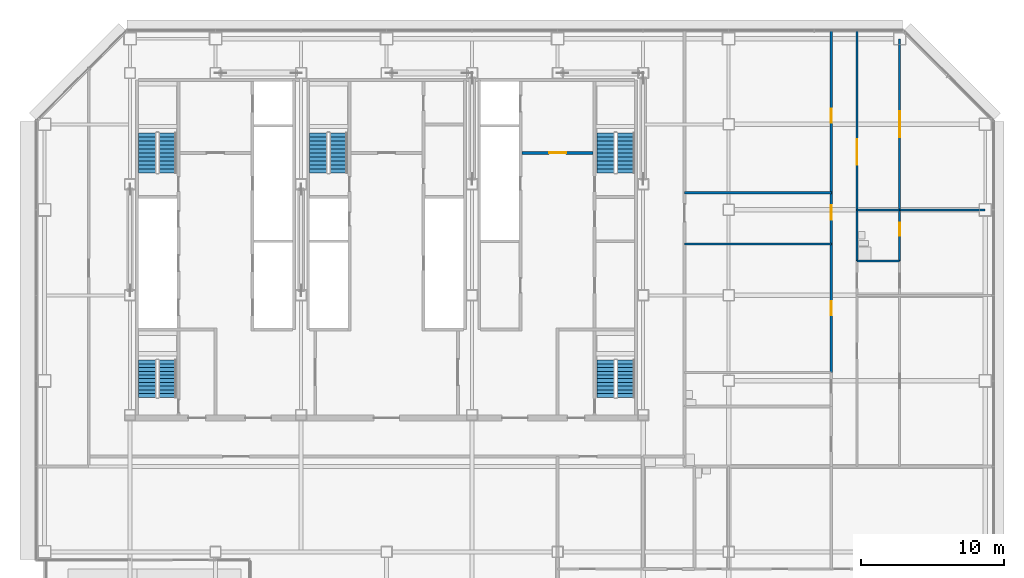
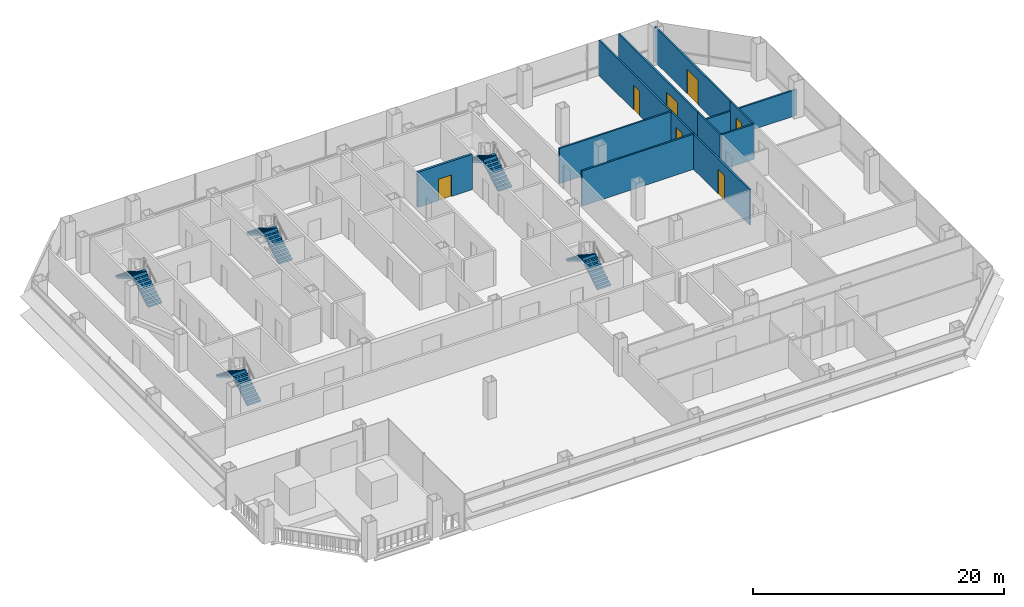
# One storey, part 23 of 28: 11 walls, 10 stair flights, 7 doors, 7 openings, 5 elements without a shape of their own.
"""IFC4 building model written with IfcOpenShell, lengths in metres."""

from ifc_helpers import new_model, si_unit, direction, frame, frame_2d, origin, place, context, subcontext, project, spatial, polyline, rectangle, outline, extrude, material, layer, layer_set, type_object, element, fill, aggregate, save


model = new_model("IFC4")

# Units and contexts
model_context = context("Model", 3, precision=1e-05, world=origin(), true_north=direction((0.0, 1.0)))
body_context = subcontext(model_context, "Body", "Model", "MODEL_VIEW")
ifc_project = project(units=[si_unit("LENGTHUNIT", "METRE"), si_unit("AREAUNIT", "SQUARE_METRE"), si_unit("VOLUMEUNIT", "CUBIC_METRE"), si_unit("PLANEANGLEUNIT", "RADIAN"), si_unit("MASSUNIT", "GRAM", prefix="KILO")], contexts=[model_context])

# Site, building, storey
site_placement = place(None, origin())
site = spatial("IfcSite", under=ifc_project, at=site_placement, CompositionType="ELEMENT")
building_placement = place(site_placement, origin())
building = spatial("IfcBuilding", under=site, at=building_placement, Name="Sorahane Residences", CompositionType="ELEMENT")
storey_placement = place(building_placement, frame((0.0, 0.0, 60.60009765625)))
storey = spatial("IfcBuildingStorey", under=building, at=storey_placement, Name="L11", CompositionType="ELEMENT", Elevation=60.60009765625)

# Wall, opening, door
ifc_material_1 = material(Name="Concrete C30", Category="concrete")
ifc_layer_1 = layer(ifc_material_1, 0.199951171875)
ifc_layer_set_1 = layer_set([ifc_layer_1], Name="Front room wall 200 EI 120")
wall_type_1 = type_object("IfcWallType", Name="Front room wall 200 EI 120", PredefinedType="PARTITIONING", material=ifc_layer_set_1)
wall_1_placement = place(storey_placement, frame((33.5, 40.0, 0.0), z_axis=(0.0, 0.0, 1.0), x_axis=(1.0, 0.0, 0.0)))
wall_1 = element("IfcWall", 1, at=wall_1_placement, inside=storey, type_object=wall_type_1, Name="L11 front room wall", PredefinedType="PARTITIONING", context=body_context, shape_type="SweptSolid", body=[
    extrude(rectangle(XDim=5.0, YDim=0.199951171875, at=frame_2d((2.5, 0.0))), origin(), (0.0, 0.0, 1.0), 3.419921875),
])
opening_1_placement = place(wall_1_placement, frame((1.89990234375, 0.0, 0.0)))
opening_1 = element("IfcOpeningElement", 2, at=opening_1_placement, cuts=wall_1, Name="Opening L11-C10", PredefinedType="OPENING", context=body_context, shape_type="SweptSolid", body=[
    extrude(rectangle(XDim=1.199951171875, YDim=2.10009765625, at=frame_2d((0.60009765625, 1.050048828125))), frame((0.0, 0.10986328125, 0.0), z_axis=(0.0, -1.0, 0.0), x_axis=(1.0, 0.0, 0.0)), (0.0, 0.0, 1.0), 0.219970703125),
])
ifc_material_2 = material(Name="Steel", Category="steel")
door_type_1 = type_object("IfcDoorType", Name="Front room door 1200x2100 FD120", OperationType="NOTDEFINED", PredefinedType="DOOR", material=ifc_material_2)
door_1_placement = place(opening_1_placement, frame((1.199951171875, 0.0, 0.0), z_axis=(0.0, 0.0, 1.0), x_axis=(-1.0, 0.0, 0.0)))
door_1 = element("IfcDoor", 3, at=door_1_placement, inside=storey, type_object=door_type_1, Name="Front room door Firefighting lobby FF2 front room L11", OperationType="DOUBLE_DOOR_SINGLE_SWING", OverallHeight=2.10009765625, OverallWidth=1.199951171875, PredefinedType="DOOR", context=body_context, shape_type="SweptSolid", body=[
    extrude(rectangle(XDim=1.199951171875, YDim=2.10009765625, at=frame_2d((0.60009765625, 1.050048828125))), frame((0.0, 0.02490234375, 0.0), z_axis=(0.0, -1.0, 0.0), x_axis=(1.0, 0.0, 0.0)), (0.0, 0.0, 1.0), 0.050048828125),
])
fill(opening_1, door_1)

# Wall, openings, doors
ifc_material_3 = material(Name="Gypsum board partition on steel studs", Category="steel")
ifc_layer_2 = layer(ifc_material_3, 0.14990234375)
ifc_layer_set_2 = layer_set([ifc_layer_2], Name="Partition 150 EI 90")
wall_type_2 = type_object("IfcWallType", Name="Partition 150 EI 90", PredefinedType="PARTITIONING", material=ifc_layer_set_2)
wall_2_placement = place(storey_placement, frame((55.199951171875, 24.60009765625, 0.0), z_axis=(0.0, 0.0, 1.0), x_axis=(0.0, 1.0, 0.0)))
wall_2 = element("IfcWall", 4, at=wall_2_placement, inside=storey, type_object=wall_type_2, Name="L11 partition", PredefinedType="PARTITIONING", context=body_context, shape_type="SweptSolid", body=[
    extrude(rectangle(XDim=24.0, YDim=0.14990234375, at=frame_2d((12.0, 0.0))), origin(), (0.0, 0.0, 1.0), 3.419921875),
])
opening_2_placement = place(wall_2_placement, frame((10.719970703125, 0.0, 0.0)))
opening_2 = element("IfcOpeningElement", 5, at=opening_2_placement, cuts=wall_2, Name="Opening L11-13", PredefinedType="OPENING", context=body_context, shape_type="SweptSolid", body=[
    extrude(rectangle(XDim=1.0, YDim=2.39990234375, at=frame_2d((0.5, 1.199951171875))), frame((0.0, 0.0849609375, 0.0), z_axis=(0.0, -1.0, 0.0), x_axis=(1.0, 0.0, 0.0)), (0.0, 0.0, 1.0), 0.169921875),
])
opening_3_placement = place(wall_2_placement, frame((4.0, 0.0, 0.0)))
opening_3 = element("IfcOpeningElement", 6, at=opening_3_placement, cuts=wall_2, Name="Opening L11-16", PredefinedType="OPENING", context=body_context, shape_type="SweptSolid", body=[
    extrude(rectangle(XDim=1.0, YDim=2.39990234375, at=frame_2d((0.5, 1.199951171875))), frame((0.0, 0.0849609375, 0.0), z_axis=(0.0, -1.0, 0.0), x_axis=(1.0, 0.0, 0.0)), (0.0, 0.0, 1.0), 0.169921875),
])
opening_4_placement = place(wall_2_placement, frame((17.5, 0.0, 0.0)))
opening_4 = element("IfcOpeningElement", 7, at=opening_4_placement, cuts=wall_2, Name="Opening L11-17", PredefinedType="OPENING", context=body_context, shape_type="SweptSolid", body=[
    extrude(rectangle(XDim=1.0, YDim=2.39990234375, at=frame_2d((0.5, 1.199951171875))), frame((0.0, 0.0849609375, 0.0), z_axis=(0.0, -1.0, 0.0), x_axis=(1.0, 0.0, 0.0)), (0.0, 0.0, 1.0), 0.169921875),
])
ifc_material_4 = material(Name="Timber veneered fire door", Category="wood")
door_type_2 = type_object("IfcDoorType", Name="Room door 1000x2400 FD30", OperationType="NOTDEFINED", PredefinedType="DOOR", material=ifc_material_4)
door_2_placement = place(opening_2_placement, frame((1.0, 0.0, 0.0), z_axis=(0.0, 0.0, 1.0), x_axis=(-1.0, 0.0, 0.0)))
door_2 = element("IfcDoor", 8, at=door_2_placement, inside=storey, type_object=door_type_2, Name="Room door L11-13", OperationType="SINGLE_SWING_RIGHT", OverallHeight=2.39990234375, OverallWidth=1.0, PredefinedType="DOOR", context=body_context, shape_type="SweptSolid", body=[
    extrude(rectangle(XDim=1.0, YDim=2.39990234375, at=frame_2d((0.5, 1.199951171875))), frame((0.0, 0.02490234375, 0.0), z_axis=(0.0, -1.0, 0.0), x_axis=(1.0, 0.0, 0.0)), (0.0, 0.0, 1.0), 0.050048828125),
])
fill(opening_2, door_2)
door_3_placement = place(opening_3_placement, origin())
door_3 = element("IfcDoor", 9, at=door_3_placement, inside=storey, type_object=door_type_2, Name="Room door L11-16", OperationType="SINGLE_SWING_RIGHT", OverallHeight=2.39990234375, OverallWidth=1.0, PredefinedType="DOOR", context=body_context, shape_type="SweptSolid", body=[
    extrude(rectangle(XDim=1.0, YDim=2.39990234375, at=frame_2d((0.5, 1.199951171875))), frame((0.0, 0.02490234375, 0.0), z_axis=(0.0, -1.0, 0.0), x_axis=(1.0, 0.0, 0.0)), (0.0, 0.0, 1.0), 0.050048828125),
])
fill(opening_3, door_3)
door_4_placement = place(opening_4_placement, origin())
door_4 = element("IfcDoor", 10, at=door_4_placement, inside=storey, type_object=door_type_2, Name="Room door L11-17", OperationType="SINGLE_SWING_LEFT", OverallHeight=2.39990234375, OverallWidth=1.0, PredefinedType="DOOR", context=body_context, shape_type="SweptSolid", body=[
    extrude(rectangle(XDim=1.0, YDim=2.39990234375, at=frame_2d((0.5, 1.199951171875))), frame((0.0, 0.02490234375, 0.0), z_axis=(0.0, -1.0, 0.0), x_axis=(1.0, 0.0, 0.0)), (0.0, 0.0, 1.0), 0.050048828125),
])
fill(opening_4, door_4)

# Wall, opening, door
wall_3_placement = place(storey_placement, frame((57.0, 36.0, 0.0), z_axis=(0.0, 0.0, 1.0), x_axis=(0.0, 1.0, 0.0)))
wall_3 = element("IfcWall", 11, at=wall_3_placement, inside=storey, type_object=wall_type_2, Name="L11 partition", PredefinedType="PARTITIONING", context=body_context, shape_type="SweptSolid", body=[
    extrude(rectangle(XDim=12.60009765625, YDim=0.14990234375, at=frame_2d((6.300048828125, 0.0))), origin(), (0.0, 0.0, 1.0), 3.419921875),
])
opening_5_placement = place(wall_3_placement, frame((3.159912109375, 0.0, 0.0)))
opening_5 = element("IfcOpeningElement", 12, at=opening_5_placement, cuts=wall_3, Name="Opening L11-20", PredefinedType="OPENING", context=body_context, shape_type="SweptSolid", body=[
    extrude(rectangle(XDim=1.800048828125, YDim=2.39990234375, at=frame_2d((0.89990234375, 1.199951171875))), frame((0.0, 0.0849609375, 0.0), z_axis=(0.0, -1.0, 0.0), x_axis=(1.0, 0.0, 0.0)), (0.0, 0.0, 1.0), 0.169921875),
])
ifc_material_5 = material(Name="Timber veneered fire door", Category="wood")
door_type_3 = type_object("IfcDoorType", Name="Double door 1800x2400 FD30", OperationType="NOTDEFINED", PredefinedType="DOOR", material=ifc_material_5)
door_5_placement = place(opening_5_placement, frame((1.800048828125, 0.0, 0.0), z_axis=(0.0, 0.0, 1.0), x_axis=(-1.0, 0.0, 0.0)))
door_5 = element("IfcDoor", 13, at=door_5_placement, inside=storey, type_object=door_type_3, Name="Double door L11-20", OperationType="SINGLE_SWING_RIGHT", OverallHeight=2.39990234375, OverallWidth=1.800048828125, PredefinedType="DOOR", context=body_context, shape_type="SweptSolid", body=[
    extrude(rectangle(XDim=1.800048828125, YDim=2.39990234375, at=frame_2d((0.89990234375, 1.199951171875))), frame((0.0, 0.02490234375, 0.0), z_axis=(0.0, -1.0, 0.0), x_axis=(1.0, 0.0, 0.0)), (0.0, 0.0, 1.0), 0.050048828125),
])
fill(opening_5, door_5)

wall_4_placement = place(storey_placement, frame((60.0, 36.0, 0.0), z_axis=(0.0, 0.0, 1.0), x_axis=(0.0, 1.0, 0.0)))
wall_4 = element("IfcWall", 14, at=wall_4_placement, inside=storey, type_object=wall_type_2, Name="L11 partition", PredefinedType="PARTITIONING", context=body_context, shape_type="SweptSolid", body=[
    extrude(rectangle(XDim=12.0, YDim=0.14990234375, at=frame_2d((6.0, 0.0))), origin(), (0.0, 0.0, 1.0), 3.419921875),
])
opening_6_placement = place(wall_4_placement, frame((5.10009765625, 0.0, 0.0)))
opening_6 = element("IfcOpeningElement", 15, at=opening_6_placement, cuts=wall_4, Name="Opening L11-24", PredefinedType="OPENING", context=body_context, shape_type="SweptSolid", body=[
    extrude(rectangle(XDim=1.800048828125, YDim=2.39990234375, at=frame_2d((0.89990234375, 1.199951171875))), frame((0.0, 0.0849609375, 0.0), z_axis=(0.0, -1.0, 0.0), x_axis=(1.0, 0.0, 0.0)), (0.0, 0.0, 1.0), 0.169921875),
])
door_6_placement = place(opening_6_placement, frame((1.800048828125, 0.0, 0.0), z_axis=(0.0, 0.0, 1.0), x_axis=(-1.0, 0.0, 0.0)))
door_6 = element("IfcDoor", 16, at=door_6_placement, inside=storey, type_object=door_type_3, Name="Double door L11-24", OperationType="SINGLE_SWING_RIGHT", OverallHeight=2.39990234375, OverallWidth=1.800048828125, PredefinedType="DOOR", context=body_context, shape_type="SweptSolid", body=[
    extrude(rectangle(XDim=1.800048828125, YDim=2.39990234375, at=frame_2d((0.89990234375, 1.199951171875))), frame((0.0, 0.02490234375, 0.0), z_axis=(0.0, -1.0, 0.0), x_axis=(1.0, 0.0, 0.0)), (0.0, 0.0, 1.0), 0.050048828125),
])
fill(opening_6, door_6)

# Walls
wall_5_placement = place(storey_placement, frame((44.89990234375, 33.60009765625, 0.0), z_axis=(0.0, 0.0, 1.0), x_axis=(1.0, 0.0, 0.0)))
element("IfcWall", 17, at=wall_5_placement, inside=storey, type_object=wall_type_2, Name="L11 partition", PredefinedType="PARTITIONING", context=body_context, shape_type="SweptSolid", body=[
    extrude(rectangle(XDim=10.300048828125, YDim=0.14990234375, at=frame_2d((5.14990234375, 0.0))), origin(), (0.0, 0.0, 1.0), 3.419921875),
])
wall_6_placement = place(storey_placement, frame((60.0, 36.0, 0.0), z_axis=(0.0, 0.0, 1.0), x_axis=(1.0, 0.0, 0.0)))
element("IfcWall", 18, at=wall_6_placement, inside=storey, type_object=wall_type_2, Name="L11 partition", PredefinedType="PARTITIONING", context=body_context, shape_type="SweptSolid", body=[
    extrude(rectangle(XDim=6.0, YDim=0.14990234375, at=frame_2d((3.0, 0.0))), origin(), (0.0, 0.0, 1.0), 2.52001953125),
])
wall_7_placement = place(storey_placement, frame((44.89990234375, 37.199951171875, 0.0), z_axis=(0.0, 0.0, 1.0), x_axis=(1.0, 0.0, 0.0)))
element("IfcWall", 19, at=wall_7_placement, inside=storey, type_object=wall_type_2, Name="L11 partition", PredefinedType="PARTITIONING", context=body_context, shape_type="SweptSolid", body=[
    extrude(rectangle(XDim=10.300048828125, YDim=0.14990234375, at=frame_2d((5.14990234375, 0.0))), origin(), (0.0, 0.0, 1.0), 3.419921875),
])
ifc_material_6 = material(Name="Gypsum board partition on steel studs", Category="steel")
ifc_layer_3 = layer(ifc_material_6, 0.14990234375)
ifc_layer_set_3 = layer_set([ifc_layer_3], Name="Wet wall 150 EI 90")
wall_type_3 = type_object("IfcWallType", Name="Wet wall 150 EI 90", PredefinedType="PARTITIONING", material=ifc_layer_set_3)
wall_8_placement = place(storey_placement, frame((57.0, 32.39990234375, 0.0), z_axis=(0.0, 0.0, 1.0), x_axis=(0.0, 1.0, 0.0)))
element("IfcWall", 20, at=wall_8_placement, inside=storey, type_object=wall_type_3, Name="L11 wet wall", PredefinedType="PARTITIONING", context=body_context, shape_type="SweptSolid", body=[
    extrude(rectangle(XDim=3.60009765625, YDim=0.14990234375, at=frame_2d((1.800048828125, 0.0))), origin(), (0.0, 0.0, 1.0), 3.419921875),
])

# Wall, opening, door
wall_9_placement = place(storey_placement, frame((60.0, 32.39990234375, 0.0), z_axis=(0.0, 0.0, 1.0), x_axis=(0.0, 1.0, 0.0)))
wall_9 = element("IfcWall", 21, at=wall_9_placement, inside=storey, type_object=wall_type_3, Name="L11 wet wall", PredefinedType="PARTITIONING", context=body_context, shape_type="SweptSolid", body=[
    extrude(rectangle(XDim=3.60009765625, YDim=0.14990234375, at=frame_2d((1.800048828125, 0.0))), origin(), (0.0, 0.0, 1.0), 3.419921875),
])
opening_7_placement = place(wall_9_placement, frame((1.7900390625, 0.0, 0.0)))
opening_7 = element("IfcOpeningElement", 22, at=opening_7_placement, cuts=wall_9, Name="Opening L11-23", PredefinedType="OPENING", context=body_context, shape_type="SweptSolid", body=[
    extrude(rectangle(XDim=0.89990234375, YDim=2.39990234375, at=frame_2d((0.449951171875, 1.199951171875))), frame((0.0, 0.0849609375, 0.0), z_axis=(0.0, -1.0, 0.0), x_axis=(1.0, 0.0, 0.0)), (0.0, 0.0, 1.0), 0.169921875),
])
ifc_material_7 = material(Name="Timber veneered fire door", Category="wood")
door_type_4 = type_object("IfcDoorType", Name="Bathroom door 900x2400 FD30", OperationType="NOTDEFINED", PredefinedType="DOOR", material=ifc_material_7)
door_7_placement = place(opening_7_placement, frame((0.89990234375, 0.0, 0.0), z_axis=(0.0, 0.0, 1.0), x_axis=(-1.0, 0.0, 0.0)))
door_7 = element("IfcDoor", 23, at=door_7_placement, inside=storey, type_object=door_type_4, Name="Bathroom door L11-23", OperationType="SINGLE_SWING_LEFT", OverallHeight=2.39990234375, OverallWidth=0.89990234375, PredefinedType="DOOR", context=body_context, shape_type="SweptSolid", body=[
    extrude(rectangle(XDim=0.89990234375, YDim=2.39990234375, at=frame_2d((0.449951171875, 1.199951171875))), frame((0.0, 0.02490234375, 0.0), z_axis=(0.0, -1.0, 0.0), x_axis=(1.0, 0.0, 0.0)), (0.0, 0.0, 1.0), 0.050048828125),
])
fill(opening_7, door_7)

# Walls
wall_10_placement = place(storey_placement, frame((57.0, 32.39990234375, 0.0), z_axis=(0.0, 0.0, 1.0), x_axis=(1.0, 0.0, 0.0)))
element("IfcWall", 24, at=wall_10_placement, inside=storey, type_object=wall_type_3, Name="L11 wet wall", PredefinedType="PARTITIONING", context=body_context, shape_type="SweptSolid", body=[
    extrude(rectangle(XDim=3.0, YDim=0.14990234375, at=frame_2d((1.5, 0.0))), origin(), (0.0, 0.0, 1.0), 3.419921875),
])
wall_11_placement = place(storey_placement, frame((57.0, 36.0, 0.0), z_axis=(0.0, 0.0, 1.0), x_axis=(1.0, 0.0, 0.0)))
element("IfcWall", 25, at=wall_11_placement, inside=storey, type_object=wall_type_3, Name="L11 wet wall", PredefinedType="PARTITIONING", context=body_context, shape_type="SweptSolid", body=[
    extrude(rectangle(XDim=3.0, YDim=0.14990234375, at=frame_2d((1.5, 0.0))), origin(), (0.0, 0.0, 1.0), 2.52001953125),
])

# Stair, stair flights
ifc_material_8 = material(Name="Concrete C40", Category="concrete")
stair_type = type_object("IfcStairType", Name="Dog-leg stair 1250 Concrete C40", PredefinedType="HALF_TURN_STAIR", material=ifc_material_8)
stair_1_placement = place(storey_placement, origin())
stair_1 = element("IfcStair", 26, at=stair_1_placement, inside=storey, type_object=stair_type, Name="L11 Stair S1", PredefinedType="HALF_TURN_STAIR")
ifc_material_9 = material(Name="Concrete C40", Category="concrete")
stair_flight_type = type_object("IfcStairFlightType", Name="Stair flight 1250 Concrete C40", PredefinedType="STRAIGHT", material=ifc_material_9)
stair_flight_1_placement = place(storey_placement, frame((8.625, 38.60009765625, 0.0), z_axis=(0.0, 0.0, 1.0), x_axis=(0.0, 1.0, 0.0)))
stair_flight_1 = element("IfcStairFlight", 27, at=stair_flight_1_placement, type_object=stair_flight_type, Name="S1 flight 1", NumberOfRisers=11, NumberOfTreads=10, PredefinedType="STRAIGHT", RiserHeight=0.163636364, TreadLength=0.28, context=body_context, shape_type="SweptSolid", body=[
    extrude(outline(polyline([(-0.00146484375, 0.0), (-0.00146484375, 0.16357421875), (0.0, 0.16357421875), (0.280029296875, 0.16357421875), (0.280029296875, 0.327392578125), (0.56005859375, 0.327392578125), (0.56005859375, 0.490966796875), (0.840087890625, 0.490966796875), (0.840087890625, 0.654541015625), (1.1201171875, 0.654541015625), (1.1201171875, 0.818115234375), (1.39990234375, 0.818115234375), (1.39990234375, 0.98193359375), (1.679931640625, 0.98193359375), (1.679931640625, 1.1455078125), (1.9599609375, 1.1455078125), (1.9599609375, 1.30908203125), (2.239990234375, 1.30908203125), (2.239990234375, 1.47265625), (2.52001953125, 1.47265625), (2.52001953125, 1.636474609375), (2.800048828125, 1.636474609375), (2.800048828125, 1.800048828125), (2.800048828125, 1.462646484375), (2.59130859375, 1.3408203125), (2.3828125, 1.218994140625), (2.17431640625, 1.09716796875), (1.965576171875, 0.97509765625), (1.757080078125, 0.853271484375), (1.548583984375, 0.7314453125), (1.340087890625, 0.609375), (1.13134765625, 0.487548828125), (0.9228515625, 0.36572265625), (0.71435546875, 0.243896484375), (0.505615234375, 0.121826171875), (0.297119140625, 0.0), (-0.00146484375, 0.0)])), frame((0.0, 0.625, 0.0), z_axis=(0.0, -1.0, 0.0), x_axis=(1.0, 0.0, 0.0)), (0.0, 0.0, 1.0), 1.25),
])
stair_flight_2_placement = place(storey_placement, frame((7.22509765625, 41.39990234375, 1.7998046875), z_axis=(0.0, 0.0, 1.0), x_axis=(0.0, -1.0, 0.0)))
stair_flight_2 = element("IfcStairFlight", 28, at=stair_flight_2_placement, type_object=stair_flight_type, Name="S1 flight 2", NumberOfRisers=11, NumberOfTreads=10, PredefinedType="STRAIGHT", RiserHeight=0.163636364, TreadLength=0.28, context=body_context, shape_type="SweptSolid", body=[
    extrude(outline(polyline([(0.0, 0.0), (0.0, 0.16357421875), (0.280029296875, 0.16357421875), (0.280029296875, 0.327392578125), (0.56005859375, 0.327392578125), (0.56005859375, 0.490966796875), (0.840087890625, 0.490966796875), (0.840087890625, 0.654541015625), (1.1201171875, 0.654541015625), (1.1201171875, 0.818115234375), (1.39990234375, 0.818115234375), (1.39990234375, 0.98193359375), (1.679931640625, 0.98193359375), (1.679931640625, 1.1455078125), (1.9599609375, 1.1455078125), (1.9599609375, 1.30908203125), (2.239990234375, 1.30908203125), (2.239990234375, 1.47265625), (2.52001953125, 1.47265625), (2.52001953125, 1.636474609375), (2.800048828125, 1.636474609375), (2.800048828125, 1.800048828125), (2.801513671875, 1.800048828125), (2.801513671875, 1.462646484375), (2.5927734375, 1.3408203125), (2.384033203125, 1.218994140625), (2.17529296875, 1.09716796875), (1.966796875, 0.97509765625), (1.758056640625, 0.853271484375), (1.54931640625, 0.7314453125), (1.340576171875, 0.609375), (1.1318359375, 0.487548828125), (0.923095703125, 0.36572265625), (0.714599609375, 0.243896484375), (0.505859375, 0.121826171875), (0.297119140625, 0.0), (0.0, 0.0)])), frame((0.0, 0.625, 0.0), z_axis=(0.0, -1.0, 0.0), x_axis=(1.0, 0.0, 0.0)), (0.0, 0.0, 1.0), 1.25),
])
aggregate(stair_1, [stair_flight_1, stair_flight_2])

stair_2_placement = place(storey_placement, origin())
stair_2 = element("IfcStair", 29, at=stair_2_placement, inside=storey, type_object=stair_type, Name="L11 Stair S2", PredefinedType="HALF_TURN_STAIR")
stair_flight_3_placement = place(storey_placement, frame((40.77490234375, 38.60009765625, 0.0), z_axis=(0.0, 0.0, 1.0), x_axis=(0.0, 1.0, 0.0)))
stair_flight_3 = element("IfcStairFlight", 30, at=stair_flight_3_placement, type_object=stair_flight_type, Name="S2 flight 1", NumberOfRisers=11, NumberOfTreads=10, PredefinedType="STRAIGHT", RiserHeight=0.163636364, TreadLength=0.28, context=body_context, shape_type="SweptSolid", body=[
    extrude(outline(polyline([(-0.00146484375, 0.0), (-0.00146484375, 0.16357421875), (0.0, 0.16357421875), (0.280029296875, 0.16357421875), (0.280029296875, 0.327392578125), (0.56005859375, 0.327392578125), (0.56005859375, 0.490966796875), (0.840087890625, 0.490966796875), (0.840087890625, 0.654541015625), (1.1201171875, 0.654541015625), (1.1201171875, 0.818115234375), (1.39990234375, 0.818115234375), (1.39990234375, 0.98193359375), (1.679931640625, 0.98193359375), (1.679931640625, 1.1455078125), (1.9599609375, 1.1455078125), (1.9599609375, 1.30908203125), (2.239990234375, 1.30908203125), (2.239990234375, 1.47265625), (2.52001953125, 1.47265625), (2.52001953125, 1.636474609375), (2.800048828125, 1.636474609375), (2.800048828125, 1.800048828125), (2.800048828125, 1.462646484375), (2.59130859375, 1.3408203125), (2.3828125, 1.218994140625), (2.17431640625, 1.09716796875), (1.965576171875, 0.97509765625), (1.757080078125, 0.853271484375), (1.548583984375, 0.7314453125), (1.340087890625, 0.609375), (1.13134765625, 0.487548828125), (0.9228515625, 0.36572265625), (0.71435546875, 0.243896484375), (0.505615234375, 0.121826171875), (0.297119140625, 0.0), (-0.00146484375, 0.0)])), frame((0.0, 0.625, 0.0), z_axis=(0.0, -1.0, 0.0), x_axis=(1.0, 0.0, 0.0)), (0.0, 0.0, 1.0), 1.25),
])
stair_flight_4_placement = place(storey_placement, frame((39.375, 41.39990234375, 1.7998046875), z_axis=(0.0, 0.0, 1.0), x_axis=(0.0, -1.0, 0.0)))
stair_flight_4 = element("IfcStairFlight", 31, at=stair_flight_4_placement, type_object=stair_flight_type, Name="S2 flight 2", NumberOfRisers=11, NumberOfTreads=10, PredefinedType="STRAIGHT", RiserHeight=0.163636364, TreadLength=0.28, context=body_context, shape_type="SweptSolid", body=[
    extrude(outline(polyline([(0.0, 0.0), (0.0, 0.16357421875), (0.280029296875, 0.16357421875), (0.280029296875, 0.327392578125), (0.56005859375, 0.327392578125), (0.56005859375, 0.490966796875), (0.840087890625, 0.490966796875), (0.840087890625, 0.654541015625), (1.1201171875, 0.654541015625), (1.1201171875, 0.818115234375), (1.39990234375, 0.818115234375), (1.39990234375, 0.98193359375), (1.679931640625, 0.98193359375), (1.679931640625, 1.1455078125), (1.9599609375, 1.1455078125), (1.9599609375, 1.30908203125), (2.239990234375, 1.30908203125), (2.239990234375, 1.47265625), (2.52001953125, 1.47265625), (2.52001953125, 1.636474609375), (2.800048828125, 1.636474609375), (2.800048828125, 1.800048828125), (2.801513671875, 1.800048828125), (2.801513671875, 1.462646484375), (2.5927734375, 1.3408203125), (2.384033203125, 1.218994140625), (2.17529296875, 1.09716796875), (1.966796875, 0.97509765625), (1.758056640625, 0.853271484375), (1.54931640625, 0.7314453125), (1.340576171875, 0.609375), (1.1318359375, 0.487548828125), (0.923095703125, 0.36572265625), (0.714599609375, 0.243896484375), (0.505859375, 0.121826171875), (0.297119140625, 0.0), (0.0, 0.0)])), frame((0.0, 0.625, 0.0), z_axis=(0.0, -1.0, 0.0), x_axis=(1.0, 0.0, 0.0)), (0.0, 0.0, 1.0), 1.25),
])
aggregate(stair_2, [stair_flight_3, stair_flight_4])

stair_3_placement = place(storey_placement, origin())
stair_3 = element("IfcStair", 32, at=stair_3_placement, inside=storey, type_object=stair_type, Name="L11 Stair S3", PredefinedType="HALF_TURN_STAIR")
stair_flight_5_placement = place(storey_placement, frame((20.625, 38.60009765625, 0.0), z_axis=(0.0, 0.0, 1.0), x_axis=(0.0, 1.0, 0.0)))
stair_flight_5 = element("IfcStairFlight", 33, at=stair_flight_5_placement, type_object=stair_flight_type, Name="S3 flight 1", NumberOfRisers=11, NumberOfTreads=10, PredefinedType="STRAIGHT", RiserHeight=0.163636364, TreadLength=0.28, context=body_context, shape_type="SweptSolid", body=[
    extrude(outline(polyline([(-0.00146484375, 0.0), (-0.00146484375, 0.16357421875), (0.0, 0.16357421875), (0.280029296875, 0.16357421875), (0.280029296875, 0.327392578125), (0.56005859375, 0.327392578125), (0.56005859375, 0.490966796875), (0.840087890625, 0.490966796875), (0.840087890625, 0.654541015625), (1.1201171875, 0.654541015625), (1.1201171875, 0.818115234375), (1.39990234375, 0.818115234375), (1.39990234375, 0.98193359375), (1.679931640625, 0.98193359375), (1.679931640625, 1.1455078125), (1.9599609375, 1.1455078125), (1.9599609375, 1.30908203125), (2.239990234375, 1.30908203125), (2.239990234375, 1.47265625), (2.52001953125, 1.47265625), (2.52001953125, 1.636474609375), (2.800048828125, 1.636474609375), (2.800048828125, 1.800048828125), (2.800048828125, 1.462646484375), (2.59130859375, 1.3408203125), (2.3828125, 1.218994140625), (2.17431640625, 1.09716796875), (1.965576171875, 0.97509765625), (1.757080078125, 0.853271484375), (1.548583984375, 0.7314453125), (1.340087890625, 0.609375), (1.13134765625, 0.487548828125), (0.9228515625, 0.36572265625), (0.71435546875, 0.243896484375), (0.505615234375, 0.121826171875), (0.297119140625, 0.0), (-0.00146484375, 0.0)])), frame((0.0, 0.625, 0.0), z_axis=(0.0, -1.0, 0.0), x_axis=(1.0, 0.0, 0.0)), (0.0, 0.0, 1.0), 1.25),
])
stair_flight_6_placement = place(storey_placement, frame((19.22509765625, 41.39990234375, 1.7998046875), z_axis=(0.0, 0.0, 1.0), x_axis=(0.0, -1.0, 0.0)))
stair_flight_6 = element("IfcStairFlight", 34, at=stair_flight_6_placement, type_object=stair_flight_type, Name="S3 flight 2", NumberOfRisers=11, NumberOfTreads=10, PredefinedType="STRAIGHT", RiserHeight=0.163636364, TreadLength=0.28, context=body_context, shape_type="SweptSolid", body=[
    extrude(outline(polyline([(0.0, 0.0), (0.0, 0.16357421875), (0.280029296875, 0.16357421875), (0.280029296875, 0.327392578125), (0.56005859375, 0.327392578125), (0.56005859375, 0.490966796875), (0.840087890625, 0.490966796875), (0.840087890625, 0.654541015625), (1.1201171875, 0.654541015625), (1.1201171875, 0.818115234375), (1.39990234375, 0.818115234375), (1.39990234375, 0.98193359375), (1.679931640625, 0.98193359375), (1.679931640625, 1.1455078125), (1.9599609375, 1.1455078125), (1.9599609375, 1.30908203125), (2.239990234375, 1.30908203125), (2.239990234375, 1.47265625), (2.52001953125, 1.47265625), (2.52001953125, 1.636474609375), (2.800048828125, 1.636474609375), (2.800048828125, 1.800048828125), (2.801513671875, 1.800048828125), (2.801513671875, 1.462646484375), (2.5927734375, 1.3408203125), (2.384033203125, 1.218994140625), (2.17529296875, 1.09716796875), (1.966796875, 0.97509765625), (1.758056640625, 0.853271484375), (1.54931640625, 0.7314453125), (1.340576171875, 0.609375), (1.1318359375, 0.487548828125), (0.923095703125, 0.36572265625), (0.714599609375, 0.243896484375), (0.505859375, 0.121826171875), (0.297119140625, 0.0), (0.0, 0.0)])), frame((0.0, 0.625, 0.0), z_axis=(0.0, -1.0, 0.0), x_axis=(1.0, 0.0, 0.0)), (0.0, 0.0, 1.0), 1.25),
])
aggregate(stair_3, [stair_flight_5, stair_flight_6])

stair_4_placement = place(storey_placement, origin())
stair_4 = element("IfcStair", 35, at=stair_4_placement, inside=storey, type_object=stair_type, Name="L11 Stair S4", PredefinedType="HALF_TURN_STAIR")
stair_flight_7_placement = place(storey_placement, frame((8.625, 22.85009765625, 0.0), z_axis=(0.0, 0.0, 1.0), x_axis=(0.0, 1.0, 0.0)))
stair_flight_7 = element("IfcStairFlight", 36, at=stair_flight_7_placement, type_object=stair_flight_type, Name="S4 flight 1", NumberOfRisers=11, NumberOfTreads=10, PredefinedType="STRAIGHT", RiserHeight=0.163636364, TreadLength=0.26, context=body_context, shape_type="SweptSolid", body=[
    extrude(outline(polyline([(-0.00146484375, 0.0), (-0.00146484375, 0.16357421875), (0.0, 0.16357421875), (0.260009765625, 0.16357421875), (0.260009765625, 0.327392578125), (0.52001953125, 0.327392578125), (0.52001953125, 0.490966796875), (0.780029296875, 0.490966796875), (0.780029296875, 0.654541015625), (1.0400390625, 0.654541015625), (1.0400390625, 0.818115234375), (1.300048828125, 0.818115234375), (1.300048828125, 0.98193359375), (1.56005859375, 0.98193359375), (1.56005859375, 1.1455078125), (1.820068359375, 1.1455078125), (1.820068359375, 1.30908203125), (2.080078125, 1.30908203125), (2.080078125, 1.47265625), (2.340087890625, 1.47265625), (2.340087890625, 1.636474609375), (2.60009765625, 1.636474609375), (2.60009765625, 1.800048828125), (2.60009765625, 1.494384765625), (2.402099609375, 1.369873046875), (2.204345703125, 1.245361328125), (2.00634765625, 1.120849609375), (1.80859375, 0.996337890625), (1.610595703125, 0.871826171875), (1.412841796875, 0.747314453125), (1.21484375, 0.622802734375), (1.01708984375, 0.498046875), (0.819091796875, 0.37353515625), (0.621337890625, 0.2490234375), (0.42333984375, 0.12451171875), (0.2255859375, 0.0), (-0.00146484375, 0.0)])), frame((0.0, 0.625, 0.0), z_axis=(0.0, -1.0, 0.0), x_axis=(1.0, 0.0, 0.0)), (0.0, 0.0, 1.0), 1.25),
])
stair_flight_8_placement = place(storey_placement, frame((7.22509765625, 25.449951171875, 1.7998046875), z_axis=(0.0, 0.0, 1.0), x_axis=(0.0, -1.0, 0.0)))
stair_flight_8 = element("IfcStairFlight", 37, at=stair_flight_8_placement, type_object=stair_flight_type, Name="S4 flight 2", NumberOfRisers=11, NumberOfTreads=10, PredefinedType="STRAIGHT", RiserHeight=0.163636364, TreadLength=0.26, context=body_context, shape_type="SweptSolid", body=[
    extrude(outline(polyline([(0.0, 0.0), (0.0, 0.16357421875), (0.260009765625, 0.16357421875), (0.260009765625, 0.327392578125), (0.52001953125, 0.327392578125), (0.52001953125, 0.490966796875), (0.780029296875, 0.490966796875), (0.780029296875, 0.654541015625), (1.0400390625, 0.654541015625), (1.0400390625, 0.818115234375), (1.300048828125, 0.818115234375), (1.300048828125, 0.98193359375), (1.56005859375, 0.98193359375), (1.56005859375, 1.1455078125), (1.820068359375, 1.1455078125), (1.820068359375, 1.30908203125), (2.080078125, 1.30908203125), (2.080078125, 1.47265625), (2.340087890625, 1.47265625), (2.340087890625, 1.636474609375), (2.60009765625, 1.636474609375), (2.60009765625, 1.800048828125), (2.6015625, 1.800048828125), (2.6015625, 1.494384765625), (2.403564453125, 1.369873046875), (2.20556640625, 1.245361328125), (2.007568359375, 1.120849609375), (1.8095703125, 0.996337890625), (1.611572265625, 0.871826171875), (1.41357421875, 0.747314453125), (1.215576171875, 0.622802734375), (1.017578125, 0.498046875), (0.819580078125, 0.37353515625), (0.62158203125, 0.2490234375), (0.423583984375, 0.12451171875), (0.2255859375, 0.0), (0.0, 0.0)])), frame((0.0, 0.625, 0.0), z_axis=(0.0, -1.0, 0.0), x_axis=(1.0, 0.0, 0.0)), (0.0, 0.0, 1.0), 1.25),
])
aggregate(stair_4, [stair_flight_7, stair_flight_8])

stair_5_placement = place(storey_placement, origin())
stair_5 = element("IfcStair", 38, at=stair_5_placement, inside=storey, type_object=stair_type, Name="L11 Stair S5", PredefinedType="HALF_TURN_STAIR")
stair_flight_9_placement = place(storey_placement, frame((40.77490234375, 22.85009765625, 0.0), z_axis=(0.0, 0.0, 1.0), x_axis=(0.0, 1.0, 0.0)))
stair_flight_9 = element("IfcStairFlight", 39, at=stair_flight_9_placement, type_object=stair_flight_type, Name="S5 flight 1", NumberOfRisers=11, NumberOfTreads=10, PredefinedType="STRAIGHT", RiserHeight=0.163636364, TreadLength=0.26, context=body_context, shape_type="SweptSolid", body=[
    extrude(outline(polyline([(-0.00146484375, 0.0), (-0.00146484375, 0.16357421875), (0.0, 0.16357421875), (0.260009765625, 0.16357421875), (0.260009765625, 0.327392578125), (0.52001953125, 0.327392578125), (0.52001953125, 0.490966796875), (0.780029296875, 0.490966796875), (0.780029296875, 0.654541015625), (1.0400390625, 0.654541015625), (1.0400390625, 0.818115234375), (1.300048828125, 0.818115234375), (1.300048828125, 0.98193359375), (1.56005859375, 0.98193359375), (1.56005859375, 1.1455078125), (1.820068359375, 1.1455078125), (1.820068359375, 1.30908203125), (2.080078125, 1.30908203125), (2.080078125, 1.47265625), (2.340087890625, 1.47265625), (2.340087890625, 1.636474609375), (2.60009765625, 1.636474609375), (2.60009765625, 1.800048828125), (2.60009765625, 1.494384765625), (2.402099609375, 1.369873046875), (2.204345703125, 1.245361328125), (2.00634765625, 1.120849609375), (1.80859375, 0.996337890625), (1.610595703125, 0.871826171875), (1.412841796875, 0.747314453125), (1.21484375, 0.622802734375), (1.01708984375, 0.498046875), (0.819091796875, 0.37353515625), (0.621337890625, 0.2490234375), (0.42333984375, 0.12451171875), (0.2255859375, 0.0), (-0.00146484375, 0.0)])), frame((0.0, 0.625, 0.0), z_axis=(0.0, -1.0, 0.0), x_axis=(1.0, 0.0, 0.0)), (0.0, 0.0, 1.0), 1.25),
])
stair_flight_10_placement = place(storey_placement, frame((39.375, 25.449951171875, 1.7998046875), z_axis=(0.0, 0.0, 1.0), x_axis=(0.0, -1.0, 0.0)))
stair_flight_10 = element("IfcStairFlight", 40, at=stair_flight_10_placement, type_object=stair_flight_type, Name="S5 flight 2", NumberOfRisers=11, NumberOfTreads=10, PredefinedType="STRAIGHT", RiserHeight=0.163636364, TreadLength=0.26, context=body_context, shape_type="SweptSolid", body=[
    extrude(outline(polyline([(0.0, 0.0), (0.0, 0.16357421875), (0.260009765625, 0.16357421875), (0.260009765625, 0.327392578125), (0.52001953125, 0.327392578125), (0.52001953125, 0.490966796875), (0.780029296875, 0.490966796875), (0.780029296875, 0.654541015625), (1.0400390625, 0.654541015625), (1.0400390625, 0.818115234375), (1.300048828125, 0.818115234375), (1.300048828125, 0.98193359375), (1.56005859375, 0.98193359375), (1.56005859375, 1.1455078125), (1.820068359375, 1.1455078125), (1.820068359375, 1.30908203125), (2.080078125, 1.30908203125), (2.080078125, 1.47265625), (2.340087890625, 1.47265625), (2.340087890625, 1.636474609375), (2.60009765625, 1.636474609375), (2.60009765625, 1.800048828125), (2.6015625, 1.800048828125), (2.6015625, 1.494384765625), (2.403564453125, 1.369873046875), (2.20556640625, 1.245361328125), (2.007568359375, 1.120849609375), (1.8095703125, 0.996337890625), (1.611572265625, 0.871826171875), (1.41357421875, 0.747314453125), (1.215576171875, 0.622802734375), (1.017578125, 0.498046875), (0.819580078125, 0.37353515625), (0.62158203125, 0.2490234375), (0.423583984375, 0.12451171875), (0.2255859375, 0.0), (0.0, 0.0)])), frame((0.0, 0.625, 0.0), z_axis=(0.0, -1.0, 0.0), x_axis=(1.0, 0.0, 0.0)), (0.0, 0.0, 1.0), 1.25),
])
aggregate(stair_5, [stair_flight_9, stair_flight_10])

save(model, "model.ifc")
